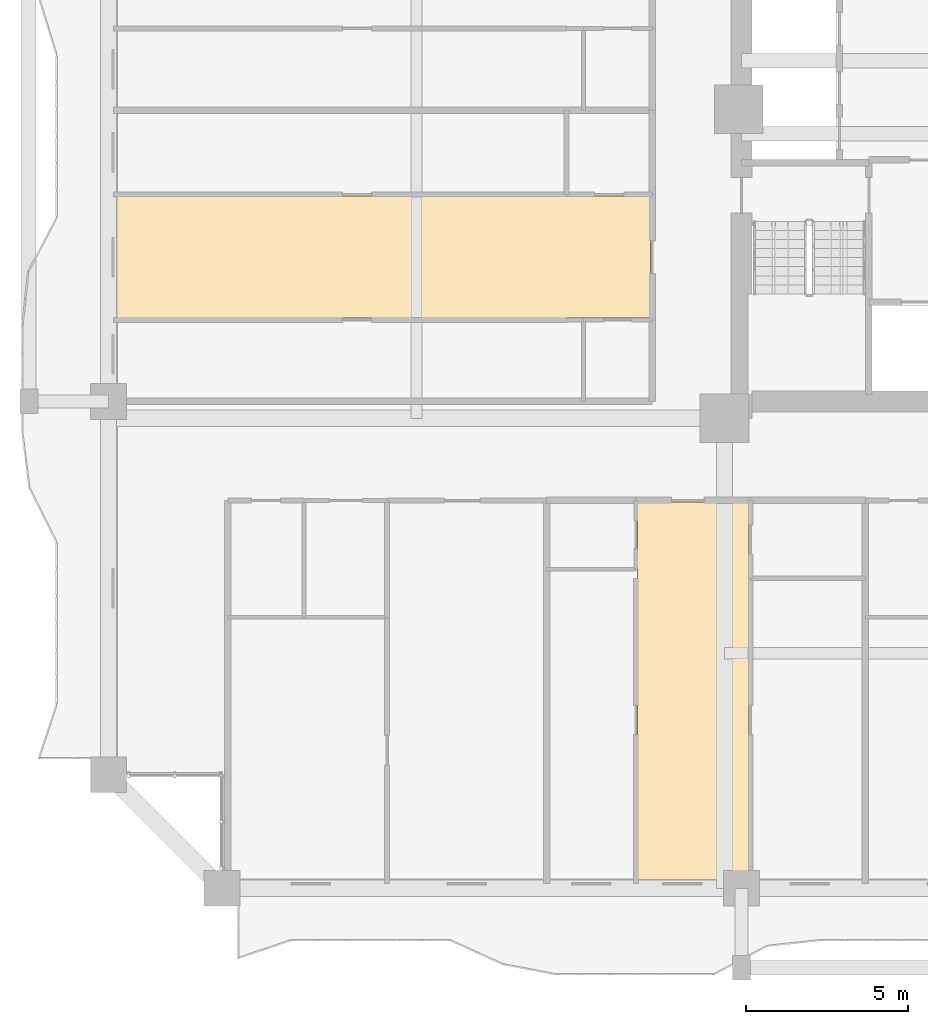
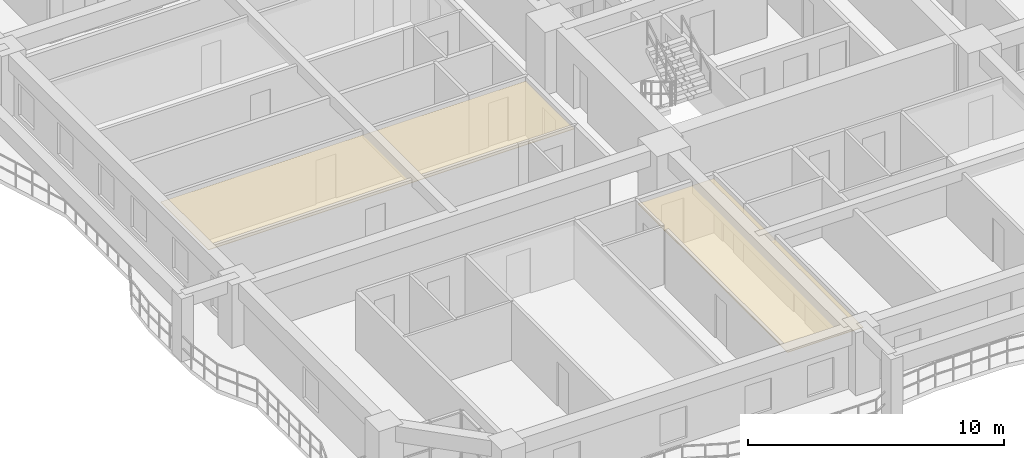
# One storey, part 23 of 27: 2 coverings.
"""IFC4 building model written with IfcOpenShell, lengths in metres."""

from ifc_helpers import new_model, si_unit, direction, frame, origin, place, context, subcontext, project, spatial, polyline, outline, extrude, material, layer, layer_set, type_object, element, save


model = new_model("IFC4")

# Units and contexts
model_context = context("Model", 3, precision=1e-05, world=origin(), true_north=direction((0.0, 1.0)))
body_context = subcontext(model_context, "Body", "Model", "MODEL_VIEW")
ifc_project = project(units=[si_unit("LENGTHUNIT", "METRE"), si_unit("AREAUNIT", "SQUARE_METRE"), si_unit("VOLUMEUNIT", "CUBIC_METRE"), si_unit("PLANEANGLEUNIT", "RADIAN"), si_unit("MASSUNIT", "GRAM", prefix="KILO")], contexts=[model_context])

# Site, building, storey
site_placement = place(None, origin())
site = spatial("IfcSite", under=ifc_project, at=site_placement, CompositionType="ELEMENT")
building_placement = place(site_placement, origin())
building = spatial("IfcBuilding", under=site, at=building_placement, Name="Saelheon Loggia Tower", CompositionType="ELEMENT")
storey_placement = place(building_placement, frame((0.0, 0.0, 52.39990234375)))
storey = spatial("IfcBuildingStorey", under=building, at=storey_placement, Name="L16", CompositionType="ELEMENT", Elevation=52.39990234375)

# Coverings
ifc_material = material(Name="Mineral-Fibre Acoustic Ceiling Board", Category="gypsum")
ifc_layer = layer(ifc_material, 0.02490234375)
ifc_layer_set = layer_set([ifc_layer], Name="Mineral-Fibre Acoustic Ceiling Board")
covering_type = type_object("IfcCoveringType", Name="Cov_Ceiling_Acoustic", PredefinedType="CEILING", material=ifc_layer_set)
covering_1_placement = place(storey_placement, frame((0.0, 0.0, 2.53515625)))
element("IfcCovering", 1, at=covering_1_placement, inside=storey, type_object=covering_type, Name="L16 Acoustic Suspended Ceiling", PredefinedType="CEILING", context=body_context, shape_type="SweptSolid", body=[
    extrude(outline(polyline([(28.300537109375, 3.199951171875), (31.72998046875, 3.199951171875), (31.72998046875, 14.89990234375), (28.300537109375, 14.89990234375), (28.300537109375, 3.199951171875)])), origin(), (0.0, 0.0, 1.0), 0.02490234375),
])
covering_2_placement = place(storey_placement, frame((0.0, 0.0, 2.53515625)))
element("IfcCovering", 2, at=covering_2_placement, inside=storey, type_object=covering_type, Name="L16 Acoustic Suspended Ceiling", PredefinedType="CEILING", context=body_context, shape_type="SweptSolid", body=[
    extrude(outline(polyline([(12.199951171875, 20.56298828125), (28.699951171875, 20.56298828125), (28.699951171875, 24.324951171875), (12.199951171875, 24.324951171875), (12.199951171875, 20.56298828125)])), origin(), (0.0, 0.0, 1.0), 0.02490234375),
])

save(model, "model.ifc")
